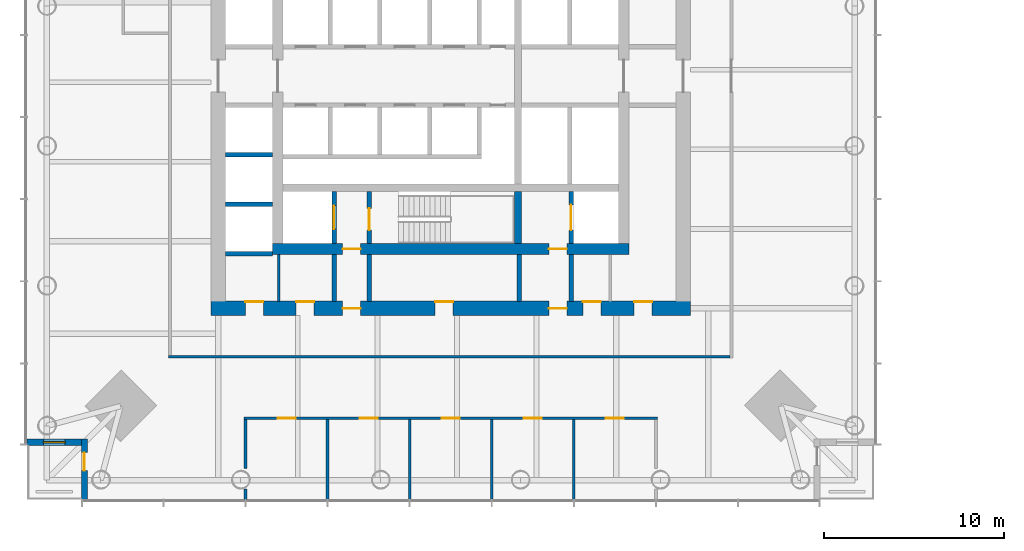
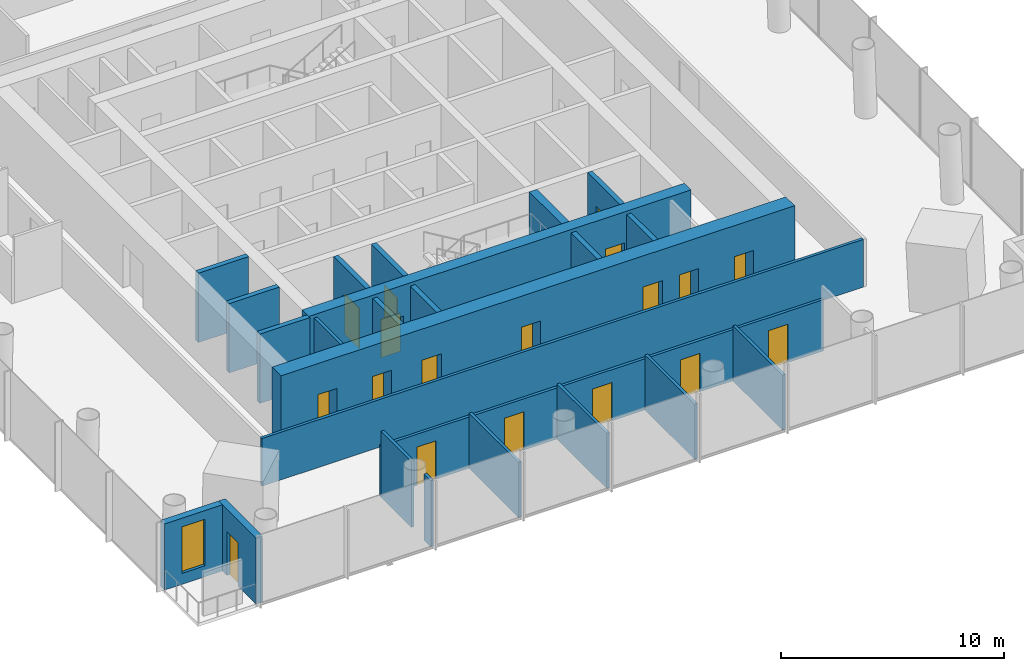
# One storey, part 8 of 18: 24 walls, 18 doors, 1 window, 19 openings.
"""IFC4 building model written with IfcOpenShell, lengths in metres."""

from ifc_helpers import new_model, si_unit, direction, frame, frame_2d, origin, place, context, subcontext, project, spatial, rectangle, extrude, material, layer, layer_set, type_object, element, fill, save


model = new_model("IFC4")

# Units and contexts
model_context = context("Model", 3, precision=1e-05, world=origin(), true_north=direction((0.0, 1.0)))
body_context = subcontext(model_context, "Body", "Model", "MODEL_VIEW")
ifc_project = project(units=[si_unit("LENGTHUNIT", "METRE"), si_unit("AREAUNIT", "SQUARE_METRE"), si_unit("VOLUMEUNIT", "CUBIC_METRE"), si_unit("PLANEANGLEUNIT", "RADIAN"), si_unit("MASSUNIT", "GRAM", prefix="KILO")], contexts=[model_context])

# Site, building, storey
site_placement = place(None, origin())
site = spatial("IfcSite", under=ifc_project, at=site_placement, CompositionType="ELEMENT")
building_placement = place(site_placement, origin())
building = spatial("IfcBuilding", under=site, at=building_placement, Name="Ostroluk Exchange", CompositionType="ELEMENT")
storey_placement = place(building_placement, frame((0.0, 0.0, 70.39990234375)))
storey = spatial("IfcBuildingStorey", under=building, at=storey_placement, Name="L17", CompositionType="ELEMENT", Elevation=70.39990234375)

# Walls
ifc_material_1 = material(Name="Concrete blockwork", Category="masonry")
ifc_layer_1 = layer(ifc_material_1, 0.14990234375)
ifc_layer_set_1 = layer_set([ifc_layer_1], Name="Blockwork plant room wall 150")
wall_type_1 = type_object("IfcWallType", Name="Blockwork plant room wall 150", PredefinedType="SOLIDWALL", material=ifc_layer_set_1)
wall_1_placement = place(storey_placement, frame((35.449951171875, 33.5, 0.0), z_axis=(0.0, 0.0, 1.0), x_axis=(0.0, 1.0, 0.0)))
element("IfcWall", 1, at=wall_1_placement, inside=storey, type_object=wall_type_1, Name="Core room wall", PredefinedType="SOLIDWALL", context=body_context, shape_type="SweptSolid", body=[
    extrude(rectangle(XDim=2.60009765625, YDim=0.14990234375, at=frame_2d((1.300048828125, 0.0))), origin(), (0.0, 0.0, 1.0), 3.6201171875),
])
ifc_material_2 = material(Name="Concrete blockwork", Category="masonry")
ifc_layer_2 = layer(ifc_material_2, 0.25)
ifc_layer_set_2 = layer_set([ifc_layer_2], Name="Blockwork stair enclosure wall 250")
wall_type_2 = type_object("IfcWallType", Name="Blockwork stair enclosure wall 250", PredefinedType="SOLIDWALL", material=ifc_layer_set_2)
for number, where, z_axis, x_axis, name in (
    (2, (38.52490234375, 33.5, 0.0), (0.0, 0.0, 1.0), (0.0, 1.0, 0.0), "Fire lobby enclosure wall"),
    (3, (40.47509765625, 33.5, 0.0), (0.0, 0.0, 1.0), (0.0, 1.0, 0.0), "Fire lobby enclosure wall"),
    (4, (48.804931640625, 33.5, 0.0), (0.0, 0.0, 1.0), (0.0, 1.0, 0.0), "Service lobby enclosure wall"),
    (5, (51.675048828125, 33.5, 0.0), (0.0, 0.0, 1.0), (0.0, 1.0, 0.0), "Service lobby enclosure wall"),
):
    element("IfcWall", number, at=place(storey_placement, frame(where, z_axis=z_axis, x_axis=x_axis)), inside=storey, type_object=wall_type_2, Name=name, PredefinedType="SOLIDWALL", context=body_context, shape_type="SweptSolid", body=[
        extrude(rectangle(XDim=2.60009765625, YDim=0.25, at=frame_2d((1.300048828125, 0.0))), origin(), (0.0, 0.0, 1.0), 3.6201171875),
    ])
ifc_material_3 = material(Name="Concrete C50/60", Category="concrete")
ifc_layer_3 = layer(ifc_material_3, 0.39990234375)
ifc_layer_set_3 = layer_set([ifc_layer_3], Name="Core cross wall 400 C50/60")
wall_type_3 = type_object("IfcWallType", Name="Core cross wall 400 C50/60", PredefinedType="SHEAR", material=ifc_layer_set_3)
wall_2_placement = place(storey_placement, frame((48.72998046875, 36.699951171875, 0.0), z_axis=(0.0, 0.0, 1.0), x_axis=(0.0, 1.0, 0.0)))
element("IfcWall", 6, at=wall_2_placement, inside=storey, type_object=wall_type_3, Name="T1 core wall YE1", PredefinedType="SHEAR", context=body_context, shape_type="SweptSolid", body=[
    extrude(rectangle(XDim=2.900146484375, YDim=0.39990234375, at=frame_2d((1.4501953125, 0.0))), origin(), (0.0, 0.0, 1.0), 3.800048828125),
])

# Wall, opening, door
ifc_material_4 = material(Name="Concrete C40/50", Category="concrete")
ifc_layer_4 = layer(ifc_material_4, 0.25)
ifc_layer_set_4 = layer_set([ifc_layer_4], Name="Core shaft wall 250")
wall_type_4 = type_object("IfcWallType", Name="Core shaft wall 250", PredefinedType="SHEAR", material=ifc_layer_set_4)
wall_3_placement = place(storey_placement, frame((38.52490234375, 36.699951171875, 0.0), z_axis=(0.0, 0.0, 1.0), x_axis=(0.0, 1.0, 0.0)))
wall_3 = element("IfcWall", 7, at=wall_3_placement, inside=storey, type_object=wall_type_4, Name="Firefighting lift shaft wall", PredefinedType="SHEAR", context=body_context, shape_type="SweptSolid", body=[
    extrude(rectangle(XDim=2.900146484375, YDim=0.25, at=frame_2d((1.4501953125, 0.0))), origin(), (0.0, 0.0, 1.0), 3.800048828125),
])
opening_1_placement = place(wall_3_placement, frame((0.800048828125, 0.0, 0.0)))
opening_1 = element("IfcOpeningElement", 8, at=opening_1_placement, cuts=wall_3, Name="Opening LD2", PredefinedType="OPENING", context=body_context, shape_type="SweptSolid", body=[
    extrude(rectangle(XDim=1.300048828125, YDim=2.199951171875, at=frame_2d((0.64990234375, 1.10009765625))), frame((0.0, 0.135009765625, 0.0), z_axis=(0.0, -1.0, 0.0), x_axis=(1.0, 0.0, 0.0)), (0.0, 0.0, 1.0), 0.27001953125),
])
ifc_material_5 = material(Name="Stainless steel", Category="steel")
door_type_1 = type_object("IfcDoorType", Name="Lift landing door E 60 1300 x 2200", OperationType="DOUBLE_DOOR_SLIDING", PredefinedType="DOOR", material=ifc_material_5)
door_1_placement = place(opening_1_placement, origin())
door_1 = element("IfcDoor", 9, at=door_1_placement, inside=storey, type_object=door_type_1, Name="Lift FL1 landing door", OperationType="DOUBLE_DOOR_SLIDING", OverallHeight=2.199951171875, OverallWidth=1.300048828125, PredefinedType="DOOR", context=body_context, shape_type="SweptSolid", body=[
    extrude(rectangle(XDim=1.300048828125, YDim=2.199951171875, at=frame_2d((0.64990234375, 1.10009765625))), frame((0.0, 0.02490234375, 0.0), z_axis=(0.0, -1.0, 0.0), x_axis=(1.0, 0.0, 0.0)), (0.0, 0.0, 1.0), 0.050048828125),
])
fill(opening_1, door_1)

wall_4_placement = place(storey_placement, frame((40.47509765625, 36.699951171875, 0.0), z_axis=(0.0, 0.0, 1.0), x_axis=(0.0, 1.0, 0.0)))
wall_4 = element("IfcWall", 10, at=wall_4_placement, inside=storey, type_object=wall_type_4, Name="Stair shaft wall", PredefinedType="SHEAR", context=body_context, shape_type="SweptSolid", body=[
    extrude(rectangle(XDim=2.900146484375, YDim=0.25, at=frame_2d((1.4501953125, 0.0))), origin(), (0.0, 0.0, 1.0), 3.800048828125),
])
opening_2_placement = place(wall_4_placement, frame((0.75, 0.0, 0.0)))
opening_2 = element("IfcOpeningElement", 11, at=opening_2_placement, cuts=wall_4, Name="Opening FD60S", PredefinedType="OPENING", context=body_context, shape_type="SweptSolid", body=[
    extrude(rectangle(XDim=1.199951171875, YDim=2.10009765625, at=frame_2d((0.60009765625, 1.050048828125))), frame((0.0, 0.135009765625, 0.0), z_axis=(0.0, -1.0, 0.0), x_axis=(1.0, 0.0, 0.0)), (0.0, 0.0, 1.0), 0.27001953125),
])
ifc_material_6 = material(Name="Steel", Category="steel")
door_type_2 = type_object("IfcDoorType", Name="Stair door EI 60 1200 x 2100", OperationType="SINGLE_SWING_LEFT", PredefinedType="DOOR", material=ifc_material_6)
door_2_placement = place(opening_2_placement, origin())
door_2 = element("IfcDoor", 12, at=door_2_placement, inside=storey, type_object=door_type_2, Name="Stair T1-S1 door", OperationType="SINGLE_SWING_LEFT", OverallHeight=2.10009765625, OverallWidth=1.199951171875, PredefinedType="DOOR", context=body_context, shape_type="SweptSolid", body=[
    extrude(rectangle(XDim=1.199951171875, YDim=2.10009765625, at=frame_2d((0.60009765625, 1.050048828125))), frame((0.0, 0.02490234375, 0.0), z_axis=(0.0, -1.0, 0.0), x_axis=(1.0, 0.0, 0.0)), (0.0, 0.0, 1.0), 0.050048828125),
])
fill(opening_2, door_2)

wall_5_placement = place(storey_placement, frame((51.675048828125, 36.699951171875, 0.0), z_axis=(0.0, 0.0, 1.0), x_axis=(0.0, 1.0, 0.0)))
wall_5 = element("IfcWall", 13, at=wall_5_placement, inside=storey, type_object=wall_type_4, Name="Service lift shaft wall", PredefinedType="SHEAR", context=body_context, shape_type="SweptSolid", body=[
    extrude(rectangle(XDim=2.900146484375, YDim=0.25, at=frame_2d((1.4501953125, 0.0))), origin(), (0.0, 0.0, 1.0), 3.800048828125),
])
opening_3_placement = place(wall_5_placement, frame((0.75, 0.0, 0.0)))
opening_3 = element("IfcOpeningElement", 14, at=opening_3_placement, cuts=wall_5, Name="Opening LD3", PredefinedType="OPENING", context=body_context, shape_type="SweptSolid", body=[
    extrude(rectangle(XDim=1.39990234375, YDim=2.39990234375, at=frame_2d((0.699951171875, 1.199951171875))), frame((0.0, 0.135009765625, 0.0), z_axis=(0.0, -1.0, 0.0), x_axis=(1.0, 0.0, 0.0)), (0.0, 0.0, 1.0), 0.27001953125),
])
ifc_material_7 = material(Name="Stainless steel", Category="steel")
door_type_3 = type_object("IfcDoorType", Name="Goods lift landing door E 60 1400 x 2400", OperationType="DOUBLE_DOOR_SLIDING", PredefinedType="DOOR", material=ifc_material_7)
door_3_placement = place(opening_3_placement, origin())
door_3 = element("IfcDoor", 15, at=door_3_placement, inside=storey, type_object=door_type_3, Name="Lift SL1 landing door", OperationType="DOUBLE_DOOR_SLIDING", OverallHeight=2.39990234375, OverallWidth=1.39990234375, PredefinedType="DOOR", context=body_context, shape_type="SweptSolid", body=[
    extrude(rectangle(XDim=1.39990234375, YDim=2.39990234375, at=frame_2d((0.699951171875, 1.199951171875))), frame((0.0, 0.02490234375, 0.0), z_axis=(0.0, -1.0, 0.0), x_axis=(1.0, 0.0, 0.0)), (0.0, 0.0, 1.0), 0.050048828125),
])
fill(opening_3, door_3)

# Walls
for number, where, z_axis, x_axis, name in (
    (16, (32.5, 36.125, 0.0), (0.0, 0.0, 1.0), (1.0, 0.0, 0.0), "Lift shaft wall"),
    (17, (32.5, 38.875, 0.0), (0.0, 0.0, 1.0), (1.0, 0.0, 0.0), "Lift shaft wall"),
    (18, (32.5, 41.625, 0.0), (0.0, 0.0, 1.0), (1.0, 0.0, 0.0), "Lift shaft wall"),
):
    element("IfcWall", number, at=place(storey_placement, frame(where, z_axis=z_axis, x_axis=x_axis)), inside=storey, type_object=wall_type_4, Name=name, PredefinedType="SHEAR", context=body_context, shape_type="SweptSolid", body=[
        extrude(rectangle(XDim=2.60009765625, YDim=0.25, at=frame_2d((1.300048828125, 0.0))), origin(), (0.0, 0.0, 1.0), 3.800048828125),
    ])

# Wall, openings, doors
ifc_material_8 = material(Name="Concrete C50/60", Category="concrete")
ifc_layer_5 = layer(ifc_material_8, 0.60009765625)
ifc_layer_set_5 = layer_set([ifc_layer_5], Name="Core wall 600 C50/60")
wall_type_5 = type_object("IfcWallType", Name="Core wall 600 C50/60", PredefinedType="SHEAR", material=ifc_layer_set_5)
wall_6_placement = place(storey_placement, frame((35.10009765625, 36.39990234375, 0.0), z_axis=(0.0, 0.0, 1.0), x_axis=(1.0, 0.0, 0.0)))
wall_6 = element("IfcWall", 19, at=wall_6_placement, inside=storey, type_object=wall_type_5, Name="T1 core wall S", PredefinedType="SHEAR", context=body_context, shape_type="SweptSolid", body=[
    extrude(rectangle(XDim=19.7998046875, YDim=0.60009765625, at=frame_2d((9.89990234375, 0.0))), origin(), (0.0, 0.0, 1.0), 3.800048828125),
])
opening_4_placement = place(wall_6_placement, frame((3.89990234375, 0.0, 0.0)))
opening_4 = element("IfcOpeningElement", 20, at=opening_4_placement, cuts=wall_6, Name="Opening FD60", PredefinedType="OPENING", context=body_context, shape_type="SweptSolid", body=[
    extrude(rectangle(XDim=1.0, YDim=2.10009765625, at=frame_2d((0.5, 1.050048828125))), frame((0.0, 0.31005859375, 0.0), z_axis=(0.0, -1.0, 0.0), x_axis=(1.0, 0.0, 0.0)), (0.0, 0.0, 1.0), 0.6201171875),
])
opening_5_placement = place(wall_6_placement, frame((15.35009765625, 0.0, 0.0)))
opening_5 = element("IfcOpeningElement", 21, at=opening_5_placement, cuts=wall_6, Name="Opening FD60", PredefinedType="OPENING", context=body_context, shape_type="SweptSolid", body=[
    extrude(rectangle(XDim=1.0, YDim=2.10009765625, at=frame_2d((0.5, 1.050048828125))), frame((0.0, 0.31005859375, 0.0), z_axis=(0.0, -1.0, 0.0), x_axis=(1.0, 0.0, 0.0)), (0.0, 0.0, 1.0), 0.6201171875),
])
ifc_material_9 = material(Name="Steel", Category="steel")
door_type_4 = type_object("IfcDoorType", Name="Fire door EI 60 1000 x 2100", OperationType="SINGLE_SWING_LEFT", PredefinedType="DOOR", material=ifc_material_9)
door_4_placement = place(opening_4_placement, origin())
door_4 = element("IfcDoor", 22, at=door_4_placement, inside=storey, type_object=door_type_4, Name="Firefighting lobby door", OperationType="SINGLE_SWING_LEFT", OverallHeight=2.10009765625, OverallWidth=1.0, PredefinedType="DOOR", context=body_context, shape_type="SweptSolid", body=[
    extrude(rectangle(XDim=1.0, YDim=2.10009765625, at=frame_2d((0.5, 1.050048828125))), frame((0.0, 0.02490234375, 0.0), z_axis=(0.0, -1.0, 0.0), x_axis=(1.0, 0.0, 0.0)), (0.0, 0.0, 1.0), 0.050048828125),
])
fill(opening_4, door_4)
door_5_placement = place(opening_5_placement, origin())
door_5 = element("IfcDoor", 23, at=door_5_placement, inside=storey, type_object=door_type_4, Name="Service lobby door", OperationType="SINGLE_SWING_RIGHT", OverallHeight=2.10009765625, OverallWidth=1.0, PredefinedType="DOOR", context=body_context, shape_type="SweptSolid", body=[
    extrude(rectangle(XDim=1.0, YDim=2.10009765625, at=frame_2d((0.5, 1.050048828125))), frame((0.0, 0.02490234375, 0.0), z_axis=(0.0, -1.0, 0.0), x_axis=(1.0, 0.0, 0.0)), (0.0, 0.0, 1.0), 0.050048828125),
])
fill(opening_5, door_5)

ifc_material_10 = material(Name="Concrete C50/60", Category="concrete")
ifc_layer_6 = layer(ifc_material_10, 0.800048828125)
ifc_layer_set_6 = layer_set([ifc_layer_6], Name="Core wall 800 C50/60")
wall_type_6 = type_object("IfcWallType", Name="Core wall 800 C50/60", PredefinedType="SHEAR", material=ifc_layer_set_6)
wall_7_placement = place(storey_placement, frame((31.699951171875, 33.10009765625, 0.0), z_axis=(0.0, 0.0, 1.0), x_axis=(1.0, 0.0, 0.0)))
wall_7 = element("IfcWall", 24, at=wall_7_placement, inside=storey, type_object=wall_type_6, Name="T1 core wall RS", PredefinedType="SHEAR", context=body_context, shape_type="SweptSolid", body=[
    extrude(rectangle(XDim=26.60009765625, YDim=0.800048828125, at=frame_2d((13.300048828125, 0.0))), origin(), (0.0, 0.0, 1.0), 3.800048828125),
])
opening_6_placement = place(wall_7_placement, frame((7.300048828125, 0.0, 0.0)))
opening_6 = element("IfcOpeningElement", 25, at=opening_6_placement, cuts=wall_7, Name="Opening FD60", PredefinedType="OPENING", context=body_context, shape_type="SweptSolid", body=[
    extrude(rectangle(XDim=1.0, YDim=2.10009765625, at=frame_2d((0.5, 1.050048828125))), frame((0.0, 0.409912109375, 0.0), z_axis=(0.0, -1.0, 0.0), x_axis=(1.0, 0.0, 0.0)), (0.0, 0.0, 1.0), 0.820068359375),
])
opening_7_placement = place(wall_7_placement, frame((18.75, 0.0, 0.0)))
opening_7 = element("IfcOpeningElement", 26, at=opening_7_placement, cuts=wall_7, Name="Opening FD60", PredefinedType="OPENING", context=body_context, shape_type="SweptSolid", body=[
    extrude(rectangle(XDim=1.0, YDim=2.10009765625, at=frame_2d((0.5, 1.050048828125))), frame((0.0, 0.409912109375, 0.0), z_axis=(0.0, -1.0, 0.0), x_axis=(1.0, 0.0, 0.0)), (0.0, 0.0, 1.0), 0.820068359375),
])
opening_8_placement = place(wall_7_placement, frame((1.89990234375, 0.0, 0.0)))
opening_8 = element("IfcOpeningElement", 27, at=opening_8_placement, cuts=wall_7, Name="Opening FD60", PredefinedType="OPENING", context=body_context, shape_type="SweptSolid", body=[
    extrude(rectangle(XDim=1.0, YDim=2.10009765625, at=frame_2d((0.5, 1.050048828125))), frame((0.0, 0.409912109375, 0.0), z_axis=(0.0, -1.0, 0.0), x_axis=(1.0, 0.0, 0.0)), (0.0, 0.0, 1.0), 0.820068359375),
])
opening_9_placement = place(wall_7_placement, frame((4.72509765625, 0.0, 0.0)))
opening_9 = element("IfcOpeningElement", 28, at=opening_9_placement, cuts=wall_7, Name="Opening FD60", PredefinedType="OPENING", context=body_context, shape_type="SweptSolid", body=[
    extrude(rectangle(XDim=1.0, YDim=2.10009765625, at=frame_2d((0.5, 1.050048828125))), frame((0.0, 0.409912109375, 0.0), z_axis=(0.0, -1.0, 0.0), x_axis=(1.0, 0.0, 0.0)), (0.0, 0.0, 1.0), 0.820068359375),
])
opening_10_placement = place(wall_7_placement, frame((12.43994140625, 0.0, 0.0)))
opening_10 = element("IfcOpeningElement", 29, at=opening_10_placement, cuts=wall_7, Name="Opening FD60", PredefinedType="OPENING", context=body_context, shape_type="SweptSolid", body=[
    extrude(rectangle(XDim=1.0, YDim=2.10009765625, at=frame_2d((0.5, 1.050048828125))), frame((0.0, 0.409912109375, 0.0), z_axis=(0.0, -1.0, 0.0), x_axis=(1.0, 0.0, 0.0)), (0.0, 0.0, 1.0), 0.820068359375),
])
opening_11_placement = place(wall_7_placement, frame((20.6259765625, 0.0, 0.0)))
opening_11 = element("IfcOpeningElement", 30, at=opening_11_placement, cuts=wall_7, Name="Opening FD60", PredefinedType="OPENING", context=body_context, shape_type="SweptSolid", body=[
    extrude(rectangle(XDim=1.0, YDim=2.10009765625, at=frame_2d((0.5, 1.050048828125))), frame((0.0, 0.409912109375, 0.0), z_axis=(0.0, -1.0, 0.0), x_axis=(1.0, 0.0, 0.0)), (0.0, 0.0, 1.0), 0.820068359375),
])
opening_12_placement = place(wall_7_placement, frame((23.47607421875, 0.0, 0.0)))
opening_12 = element("IfcOpeningElement", 31, at=opening_12_placement, cuts=wall_7, Name="Opening FD60", PredefinedType="OPENING", context=body_context, shape_type="SweptSolid", body=[
    extrude(rectangle(XDim=1.0, YDim=2.10009765625, at=frame_2d((0.5, 1.050048828125))), frame((0.0, 0.409912109375, 0.0), z_axis=(0.0, -1.0, 0.0), x_axis=(1.0, 0.0, 0.0)), (0.0, 0.0, 1.0), 0.820068359375),
])
door_6_placement = place(opening_6_placement, origin())
door_6 = element("IfcDoor", 32, at=door_6_placement, inside=storey, type_object=door_type_4, Name="Firefighting lobby door", OperationType="SINGLE_SWING_LEFT", OverallHeight=2.10009765625, OverallWidth=1.0, PredefinedType="DOOR", context=body_context, shape_type="SweptSolid", body=[
    extrude(rectangle(XDim=1.0, YDim=2.10009765625, at=frame_2d((0.5, 1.050048828125))), frame((0.0, 0.02490234375, 0.0), z_axis=(0.0, -1.0, 0.0), x_axis=(1.0, 0.0, 0.0)), (0.0, 0.0, 1.0), 0.050048828125),
])
fill(opening_6, door_6)
door_7_placement = place(opening_7_placement, origin())
door_7 = element("IfcDoor", 33, at=door_7_placement, inside=storey, type_object=door_type_4, Name="Service lobby door", OperationType="SINGLE_SWING_RIGHT", OverallHeight=2.10009765625, OverallWidth=1.0, PredefinedType="DOOR", context=body_context, shape_type="SweptSolid", body=[
    extrude(rectangle(XDim=1.0, YDim=2.10009765625, at=frame_2d((0.5, 1.050048828125))), frame((0.0, 0.02490234375, 0.0), z_axis=(0.0, -1.0, 0.0), x_axis=(1.0, 0.0, 0.0)), (0.0, 0.0, 1.0), 0.050048828125),
])
fill(opening_7, door_7)
door_8_placement = place(opening_8_placement, origin())
door_8 = element("IfcDoor", 34, at=door_8_placement, inside=storey, type_object=door_type_4, Name="Archive door", OperationType="SINGLE_SWING_LEFT", OverallHeight=2.10009765625, OverallWidth=1.0, PredefinedType="DOOR", context=body_context, shape_type="SweptSolid", body=[
    extrude(rectangle(XDim=1.0, YDim=2.10009765625, at=frame_2d((0.5, 1.050048828125))), frame((0.0, 0.39013671875, 0.0), z_axis=(0.0, -1.0, 0.0), x_axis=(1.0, 0.0, 0.0)), (0.0, 0.0, 1.0), 0.050048828125),
])
fill(opening_8, door_8)
door_9_placement = place(opening_9_placement, origin())
door_9 = element("IfcDoor", 35, at=door_9_placement, inside=storey, type_object=door_type_4, Name="Tenant IT room door", OperationType="SINGLE_SWING_LEFT", OverallHeight=2.10009765625, OverallWidth=1.0, PredefinedType="DOOR", context=body_context, shape_type="SweptSolid", body=[
    extrude(rectangle(XDim=1.0, YDim=2.10009765625, at=frame_2d((0.5, 1.050048828125))), frame((0.0, 0.39013671875, 0.0), z_axis=(0.0, -1.0, 0.0), x_axis=(1.0, 0.0, 0.0)), (0.0, 0.0, 1.0), 0.050048828125),
])
fill(opening_9, door_9)
door_10_placement = place(opening_10_placement, origin())
door_10 = element("IfcDoor", 36, at=door_10_placement, inside=storey, type_object=door_type_4, Name="Tea point door", OperationType="SINGLE_SWING_LEFT", OverallHeight=2.10009765625, OverallWidth=1.0, PredefinedType="DOOR", context=body_context, shape_type="SweptSolid", body=[
    extrude(rectangle(XDim=1.0, YDim=2.10009765625, at=frame_2d((0.5, 1.050048828125))), frame((0.0, 0.39013671875, 0.0), z_axis=(0.0, -1.0, 0.0), x_axis=(1.0, 0.0, 0.0)), (0.0, 0.0, 1.0), 0.050048828125),
])
fill(opening_10, door_10)
door_11_placement = place(opening_11_placement, origin())
door_11 = element("IfcDoor", 37, at=door_11_placement, inside=storey, type_object=door_type_4, Name="Store door", OperationType="SINGLE_SWING_RIGHT", OverallHeight=2.10009765625, OverallWidth=1.0, PredefinedType="DOOR", context=body_context, shape_type="SweptSolid", body=[
    extrude(rectangle(XDim=1.0, YDim=2.10009765625, at=frame_2d((0.5, 1.050048828125))), frame((0.0, 0.39013671875, 0.0), z_axis=(0.0, -1.0, 0.0), x_axis=(1.0, 0.0, 0.0)), (0.0, 0.0, 1.0), 0.050048828125),
])
fill(opening_11, door_11)
door_12_placement = place(opening_12_placement, origin())
door_12 = element("IfcDoor", 38, at=door_12_placement, inside=storey, type_object=door_type_4, Name="First aid room door", OperationType="SINGLE_SWING_RIGHT", OverallHeight=2.10009765625, OverallWidth=1.0, PredefinedType="DOOR", context=body_context, shape_type="SweptSolid", body=[
    extrude(rectangle(XDim=1.0, YDim=2.10009765625, at=frame_2d((0.5, 1.050048828125))), frame((0.0, 0.39013671875, 0.0), z_axis=(0.0, -1.0, 0.0), x_axis=(1.0, 0.0, 0.0)), (0.0, 0.0, 1.0), 0.050048828125),
])
fill(opening_12, door_12)

# Wall, opening, door
ifc_material_11 = material(Name="Limestone", Category="masonry")
ifc_layer_7 = layer(ifc_material_11, 0.35009765625)
ifc_layer_set_7 = layer_set([ifc_layer_7], Name="Limestone facade wall 350")
wall_type_7 = type_object("IfcWallType", Name="Limestone facade wall 350", PredefinedType="SOLIDWALL", material=ifc_layer_set_7)
wall_8_placement = place(storey_placement, frame((24.675048828125, 22.5, 0.0), z_axis=(0.0, 0.0, 1.0), x_axis=(0.0, 1.0, 0.0)))
wall_8 = element("IfcWall", 39, at=wall_8_placement, inside=storey, type_object=wall_type_7, Name="Office tower SW corner wall L17 a", PredefinedType="SOLIDWALL", context=body_context, shape_type="SweptSolid", body=[
    extrude(rectangle(XDim=3.35009765625, YDim=0.35009765625, at=frame_2d((1.675048828125, 0.0))), origin(), (0.0, 0.0, 1.0), 3.6201171875),
])
opening_13_placement = place(wall_8_placement, frame((1.60009765625, 0.0, 0.0)))
opening_13 = element("IfcOpeningElement", 40, at=opening_13_placement, cuts=wall_8, Name="Opening D-B1", PredefinedType="OPENING", context=body_context, shape_type="SweptSolid", body=[
    extrude(rectangle(XDim=1.0, YDim=2.39990234375, at=frame_2d((0.5, 1.199951171875))), frame((0.0, 0.18505859375, 0.0), z_axis=(0.0, -1.0, 0.0), x_axis=(1.0, 0.0, 0.0)), (0.0, 0.0, 1.0), 0.3701171875),
])
ifc_material_12 = material(Name="Bronze framed glazed door", Category="aluminium")
door_type_5 = type_object("IfcDoorType", Name="Balcony door 1000 x 2400", OperationType="SINGLE_SWING_LEFT", PredefinedType="DOOR", material=ifc_material_12)
door_13_placement = place(opening_13_placement, origin())
door_13 = element("IfcDoor", 41, at=door_13_placement, inside=storey, type_object=door_type_5, Name="Office tower SW balcony door L17", OperationType="SINGLE_SWING_RIGHT", OverallHeight=2.39990234375, OverallWidth=1.0, PredefinedType="DOOR", context=body_context, shape_type="SweptSolid", body=[
    extrude(rectangle(XDim=1.0, YDim=2.39990234375, at=frame_2d((0.5, 1.199951171875))), frame((0.0, 0.02490234375, 0.0), z_axis=(0.0, -1.0, 0.0), x_axis=(1.0, 0.0, 0.0)), (0.0, 0.0, 1.0), 0.050048828125),
])
fill(opening_13, door_13)

# Wall, opening, window
wall_9_placement = place(storey_placement, frame((24.5, 25.675048828125, 0.0), z_axis=(0.0, 0.0, 1.0), x_axis=(-1.0, 0.0, 0.0)))
wall_9 = element("IfcWall", 42, at=wall_9_placement, inside=storey, type_object=wall_type_7, Name="Office tower SW corner wall L17 b", PredefinedType="SOLIDWALL", context=body_context, shape_type="SweptSolid", body=[
    extrude(rectangle(XDim=3.0, YDim=0.35009765625, at=frame_2d((1.5, 0.0))), origin(), (0.0, 0.0, 1.0), 3.6201171875),
])
opening_14_placement = place(wall_9_placement, frame((0.89990234375, 0.0, 0.60009765625)))
opening_14 = element("IfcOpeningElement", 43, at=opening_14_placement, cuts=wall_9, Name="Opening WN-L1", PredefinedType="OPENING", context=body_context, shape_type="SweptSolid", body=[
    extrude(rectangle(XDim=1.199951171875, YDim=2.550048828125, at=frame_2d((0.60009765625, 1.27490234375))), frame((0.0, 0.18505859375, 0.0), z_axis=(0.0, -1.0, 0.0), x_axis=(1.0, 0.0, 0.0)), (0.0, 0.0, 1.0), 0.3701171875),
])
ifc_material_13 = material(Name="Laminated clear glass", Category="glass")
window_type = type_object("IfcWindowType", Name="Lancet window 1200 x 2550", PartitioningType="SINGLE_PANEL", PredefinedType="WINDOW", material=ifc_material_13)
window_placement = place(opening_14_placement, origin())
window = element("IfcWindow", 44, at=window_placement, inside=storey, type_object=window_type, Name="Office tower SW lancet window L17", OverallHeight=2.550048828125, OverallWidth=1.199951171875, PartitioningType="SINGLE_PANEL", PredefinedType="WINDOW", context=body_context, shape_type="SweptSolid", body=[
    extrude(rectangle(XDim=1.199951171875, YDim=2.550048828125, at=frame_2d((0.60009765625, 1.27490234375))), frame((0.0, 0.030029296875, 0.0), z_axis=(0.0, -1.0, 0.0), x_axis=(1.0, 0.0, 0.0)), (0.0, 0.0, 1.0), 0.06005859375),
])
fill(opening_14, window)

# Wall, openings, doors
ifc_material_14 = material(Name="Gypsum plasterboard partition", Category="gypsum")
ifc_layer_8 = layer(ifc_material_14, 0.14990234375)
ifc_layer_set_8 = layer_set([ifc_layer_8], Name="Plasterboard partition 150")
wall_type_8 = type_object("IfcWallType", Name="Plasterboard partition 150", PredefinedType="PARTITIONING", material=ifc_layer_set_8)
wall_10_placement = place(storey_placement, frame((33.5361328125, 27.0, 0.0), z_axis=(0.0, 0.0, 1.0), x_axis=(1.0, 0.0, 0.0)))
wall_10 = element("IfcWall", 45, at=wall_10_placement, inside=storey, type_object=wall_type_8, Name="Partition", PredefinedType="PARTITIONING", context=body_context, shape_type="SweptSolid", body=[
    extrude(rectangle(XDim=22.927734375, YDim=0.14990234375, at=frame_2d((11.4638671875, 0.0))), origin(), (0.0, 0.0, 1.0), 2.80615234375),
])
opening_15_placement = place(wall_10_placement, frame((1.852783203125, 0.0, 0.0)))
opening_15 = element("IfcOpeningElement", 46, at=opening_15_placement, cuts=wall_10, Name="Opening D-03", PredefinedType="OPENING", context=body_context, shape_type="SweptSolid", body=[
    extrude(rectangle(XDim=1.0, YDim=2.10009765625, at=frame_2d((0.5, 1.050048828125))), frame((0.0, 0.0849609375, 0.0), z_axis=(0.0, -1.0, 0.0), x_axis=(1.0, 0.0, 0.0)), (0.0, 0.0, 1.0), 0.169921875),
])
opening_16_placement = place(wall_10_placement, frame((6.408447265625, 0.0, 0.0)))
opening_16 = element("IfcOpeningElement", 47, at=opening_16_placement, cuts=wall_10, Name="Opening D-03", PredefinedType="OPENING", context=body_context, shape_type="SweptSolid", body=[
    extrude(rectangle(XDim=1.0, YDim=2.10009765625, at=frame_2d((0.5, 1.050048828125))), frame((0.0, 0.0849609375, 0.0), z_axis=(0.0, -1.0, 0.0), x_axis=(1.0, 0.0, 0.0)), (0.0, 0.0, 1.0), 0.169921875),
])
opening_17_placement = place(wall_10_placement, frame((10.9638671875, 0.0, 0.0)))
opening_17 = element("IfcOpeningElement", 48, at=opening_17_placement, cuts=wall_10, Name="Opening D-03", PredefinedType="OPENING", context=body_context, shape_type="SweptSolid", body=[
    extrude(rectangle(XDim=1.0, YDim=2.10009765625, at=frame_2d((0.5, 1.050048828125))), frame((0.0, 0.0849609375, 0.0), z_axis=(0.0, -1.0, 0.0), x_axis=(1.0, 0.0, 0.0)), (0.0, 0.0, 1.0), 0.169921875),
])
opening_18_placement = place(wall_10_placement, frame((15.51953125, 0.0, 0.0)))
opening_18 = element("IfcOpeningElement", 49, at=opening_18_placement, cuts=wall_10, Name="Opening D-03", PredefinedType="OPENING", context=body_context, shape_type="SweptSolid", body=[
    extrude(rectangle(XDim=1.0, YDim=2.10009765625, at=frame_2d((0.5, 1.050048828125))), frame((0.0, 0.0849609375, 0.0), z_axis=(0.0, -1.0, 0.0), x_axis=(1.0, 0.0, 0.0)), (0.0, 0.0, 1.0), 0.169921875),
])
opening_19_placement = place(wall_10_placement, frame((20.074951171875, 0.0, 0.0)))
opening_19 = element("IfcOpeningElement", 50, at=opening_19_placement, cuts=wall_10, Name="Opening D-03", PredefinedType="OPENING", context=body_context, shape_type="SweptSolid", body=[
    extrude(rectangle(XDim=1.0, YDim=2.10009765625, at=frame_2d((0.5, 1.050048828125))), frame((0.0, 0.0849609375, 0.0), z_axis=(0.0, -1.0, 0.0), x_axis=(1.0, 0.0, 0.0)), (0.0, 0.0, 1.0), 0.169921875),
])
ifc_material_15 = material(Name="Timber", Category="wood")
door_type_6 = type_object("IfcDoorType", Name="Internal door 1000 x 2100", OperationType="SINGLE_SWING_LEFT", PredefinedType="DOOR", material=ifc_material_15)
door_14_placement = place(opening_15_placement, origin())
door_14 = element("IfcDoor", 51, at=door_14_placement, inside=storey, type_object=door_type_6, Name="Office door", OperationType="SINGLE_SWING_LEFT", OverallHeight=2.10009765625, OverallWidth=1.0, PredefinedType="DOOR", context=body_context, shape_type="SweptSolid", body=[
    extrude(rectangle(XDim=1.0, YDim=2.10009765625, at=frame_2d((0.5, 1.050048828125))), frame((0.0, 0.02490234375, 0.0), z_axis=(0.0, -1.0, 0.0), x_axis=(1.0, 0.0, 0.0)), (0.0, 0.0, 1.0), 0.050048828125),
])
fill(opening_15, door_14)
door_15_placement = place(opening_16_placement, origin())
door_15 = element("IfcDoor", 52, at=door_15_placement, inside=storey, type_object=door_type_6, Name="Office door", OperationType="SINGLE_SWING_LEFT", OverallHeight=2.10009765625, OverallWidth=1.0, PredefinedType="DOOR", context=body_context, shape_type="SweptSolid", body=[
    extrude(rectangle(XDim=1.0, YDim=2.10009765625, at=frame_2d((0.5, 1.050048828125))), frame((0.0, 0.02490234375, 0.0), z_axis=(0.0, -1.0, 0.0), x_axis=(1.0, 0.0, 0.0)), (0.0, 0.0, 1.0), 0.050048828125),
])
fill(opening_16, door_15)
door_16_placement = place(opening_17_placement, origin())
door_16 = element("IfcDoor", 53, at=door_16_placement, inside=storey, type_object=door_type_6, Name="Office door", OperationType="SINGLE_SWING_LEFT", OverallHeight=2.10009765625, OverallWidth=1.0, PredefinedType="DOOR", context=body_context, shape_type="SweptSolid", body=[
    extrude(rectangle(XDim=1.0, YDim=2.10009765625, at=frame_2d((0.5, 1.050048828125))), frame((0.0, 0.02490234375, 0.0), z_axis=(0.0, -1.0, 0.0), x_axis=(1.0, 0.0, 0.0)), (0.0, 0.0, 1.0), 0.050048828125),
])
fill(opening_17, door_16)
door_17_placement = place(opening_18_placement, origin())
door_17 = element("IfcDoor", 54, at=door_17_placement, inside=storey, type_object=door_type_6, Name="Office door", OperationType="SINGLE_SWING_RIGHT", OverallHeight=2.10009765625, OverallWidth=1.0, PredefinedType="DOOR", context=body_context, shape_type="SweptSolid", body=[
    extrude(rectangle(XDim=1.0, YDim=2.10009765625, at=frame_2d((0.5, 1.050048828125))), frame((0.0, 0.02490234375, 0.0), z_axis=(0.0, -1.0, 0.0), x_axis=(1.0, 0.0, 0.0)), (0.0, 0.0, 1.0), 0.050048828125),
])
fill(opening_18, door_17)
door_18_placement = place(opening_19_placement, origin())
door_18 = element("IfcDoor", 55, at=door_18_placement, inside=storey, type_object=door_type_6, Name="Office door", OperationType="SINGLE_SWING_RIGHT", OverallHeight=2.10009765625, OverallWidth=1.0, PredefinedType="DOOR", context=body_context, shape_type="SweptSolid", body=[
    extrude(rectangle(XDim=1.0, YDim=2.10009765625, at=frame_2d((0.5, 1.050048828125))), frame((0.0, 0.02490234375, 0.0), z_axis=(0.0, -1.0, 0.0), x_axis=(1.0, 0.0, 0.0)), (0.0, 0.0, 1.0), 0.050048828125),
])
fill(opening_19, door_18)

# Walls
wall_11_placement = place(storey_placement, frame((33.611083984375, 26.925048828125, 0.0), z_axis=(0.0, 0.0, 1.0), x_axis=(0.0, -1.0, 0.0)))
element("IfcWall", 56, at=wall_11_placement, inside=storey, type_object=wall_type_8, Name="Partition", PredefinedType="PARTITIONING", context=body_context, shape_type="SweptSolid", body=[
    extrude(rectangle(XDim=2.717041015625, YDim=0.14990234375, at=frame_2d((1.3583984375, 0.0))), origin(), (0.0, 0.0, 1.0), 3.6201171875),
])
wall_12_placement = place(storey_placement, frame((33.611083984375, 23.070556640625, 0.0), z_axis=(0.0, 0.0, 1.0), x_axis=(0.0, -1.0, 0.0)))
element("IfcWall", 57, at=wall_12_placement, inside=storey, type_object=wall_type_8, Name="Partition", PredefinedType="PARTITIONING", context=body_context, shape_type="SweptSolid", body=[
    extrude(rectangle(XDim=0.610595703125, YDim=0.14990234375, at=frame_2d((0.30517578125, 0.0))), origin(), (0.0, 0.0, 1.0), 3.6201171875),
])
for number, where, z_axis, x_axis, name in (
    (58, (38.166748046875, 26.925048828125, 0.0), (0.0, 0.0, 1.0), (0.0, -1.0, 0.0), "Partition"),
    (59, (42.72216796875, 26.925048828125, 0.0), (0.0, 0.0, 1.0), (0.0, -1.0, 0.0), "Partition"),
    (60, (47.27783203125, 26.925048828125, 0.0), (0.0, 0.0, 1.0), (0.0, -1.0, 0.0), "Partition"),
    (61, (51.833251953125, 26.925048828125, 0.0), (0.0, 0.0, 1.0), (0.0, -1.0, 0.0), "Partition"),
):
    element("IfcWall", number, at=place(storey_placement, frame(where, z_axis=z_axis, x_axis=x_axis)), inside=storey, type_object=wall_type_8, Name=name, PredefinedType="PARTITIONING", context=body_context, shape_type="SweptSolid", body=[
        extrude(rectangle(XDim=4.465087890625, YDim=0.14990234375, at=frame_2d((2.232421875, 0.0))), origin(), (0.0, 0.0, 1.0), 3.02001953125),
    ])
wall_13_placement = place(storey_placement, frame((29.35009765625, 30.425048828125, 0.0), z_axis=(0.0, 0.0, 1.0), x_axis=(1.0, 0.0, 0.0)))
element("IfcWall", 62, at=wall_13_placement, inside=storey, type_object=wall_type_8, Name="Corridor wall", PredefinedType="PARTITIONING", context=body_context, shape_type="SweptSolid", body=[
    extrude(rectangle(XDim=31.14990234375, YDim=0.14990234375, at=frame_2d((15.574951171875, 0.0))), origin(), (0.0, 0.0, 1.0), 2.612060546875),
])

save(model, "model.ifc")
